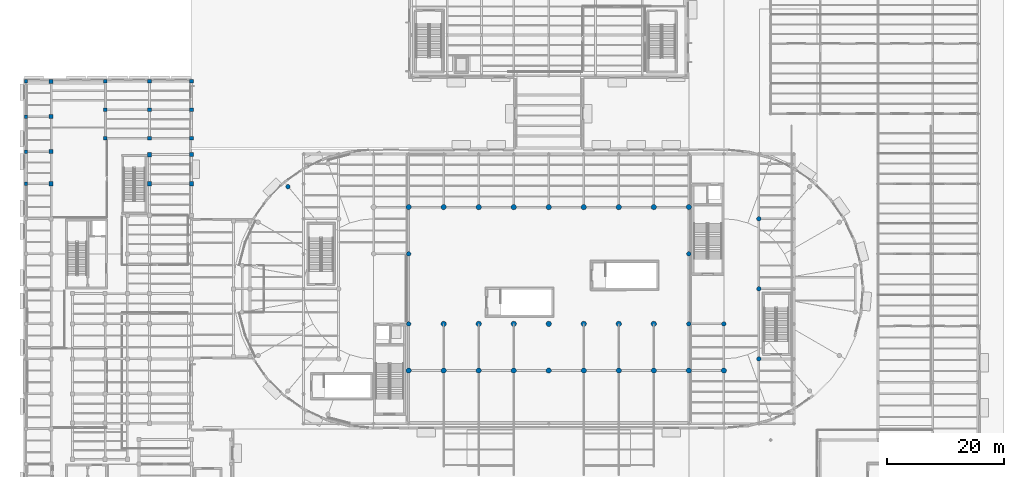
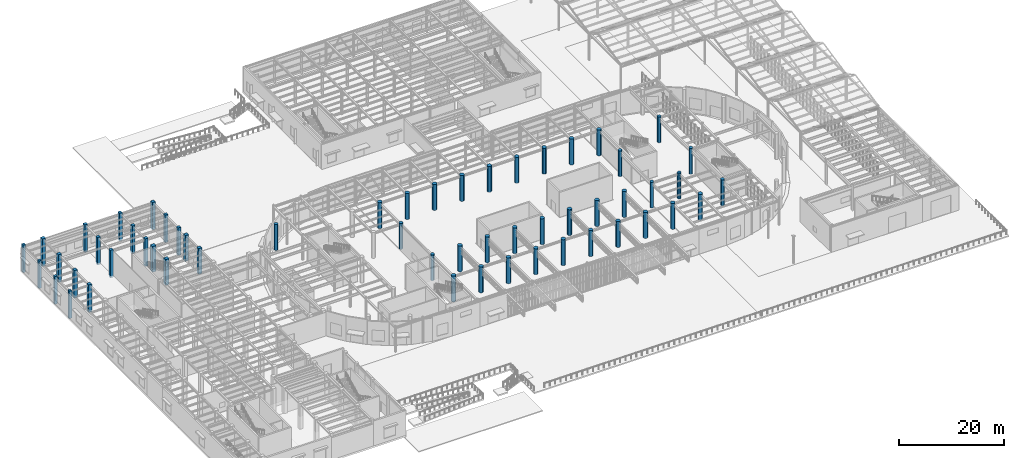
# One storey, part 7 of 118: 56 columns.
"""IFC4 building model written with IfcOpenShell, lengths in metres."""

from ifc_helpers import new_model, si_unit, direction, frame, origin, origin_2d, place, context, subcontext, project, spatial, rectangle, circle, extrude, material, material_profile, profile_set, type_object, element, save


model = new_model("IFC4")

# Units and contexts
model_context = context("Model", 3, precision=1e-05, world=origin(), true_north=direction((0.0, 1.0)))
body_context = subcontext(model_context, "Body", "Model", "MODEL_VIEW")
ifc_project = project(units=[si_unit("LENGTHUNIT", "METRE"), si_unit("AREAUNIT", "SQUARE_METRE"), si_unit("VOLUMEUNIT", "CUBIC_METRE"), si_unit("PLANEANGLEUNIT", "RADIAN"), si_unit("MASSUNIT", "GRAM", prefix="KILO")], contexts=[model_context])

# Site, building, storey
site_placement = place(None, origin())
site = spatial("IfcSite", under=ifc_project, at=site_placement, CompositionType="ELEMENT")
building_placement = place(site_placement, origin())
building = spatial("IfcBuilding", under=site, at=building_placement, Name="Kolvaren Corner Interchange", CompositionType="ELEMENT")
storey_placement = place(building_placement, origin())
storey = spatial("IfcBuildingStorey", under=building, at=storey_placement, Name="L01", CompositionType="ELEMENT", Elevation=0.0)

# Columns
ifc_material_1 = material(Name="Concrete C35/45", Category="concrete")
ifc_material_profile_1 = material_profile(ifc_material_1, rectangle(XDim=0.64990234375, YDim=0.64990234375, at=origin_2d()), Name="RC 650x650")
ifc_profile_set_1 = profile_set([ifc_material_profile_1], Name="Concrete C35/45")
column_type_1 = type_object("IfcColumnType", Name="COL-RC650", PredefinedType="COLUMN", material=ifc_profile_set_1)
for number, where, z_axis, x_axis, name in (
    (1, (14.0, 73.800048828125, -0.39990234375), (0.0, 0.0, 1.0), (1.0, 0.0, 0.0), "Storey L01 Structural Column 0418"),
    (2, (14.0, 78.699951171875, -0.39990234375), (0.0, 0.0, 1.0), (1.0, 0.0, 0.0), "Storey L01 Structural Column 0421"),
    (3, (14.0, 83.550048828125, -0.39990234375), (0.0, 0.0, 1.0), (1.0, 0.0, 0.0), "Storey L01 Structural Column 0424"),
    (4, (21.60009765625, 73.800048828125, -0.39990234375), (0.0, 0.0, 1.0), (1.0, 0.0, 0.0), "Storey L01 Structural Column 0427"),
    (5, (21.60009765625, 78.699951171875, -0.39990234375), (0.0, 0.0, 1.0), (1.0, 0.0, 0.0), "Storey L01 Structural Column 0430"),
    (6, (21.60009765625, 83.550048828125, -0.39990234375), (0.0, 0.0, 1.0), (1.0, 0.0, 0.0), "Storey L01 Structural Column 0433"),
    (7, (28.800048828125, 73.800048828125, -0.39990234375), (0.0, 0.0, 1.0), (1.0, 0.0, 0.0), "Storey L01 Structural Column 0436"),
    (8, (28.800048828125, 78.699951171875, -0.39990234375), (0.0, 0.0, 1.0), (1.0, 0.0, 0.0), "Storey L01 Structural Column 0439"),
    (9, (28.800048828125, 83.550048828125, -0.39990234375), (0.0, 0.0, 1.0), (1.0, 0.0, 0.0), "Storey L01 Structural Column 0442"),
):
    element("IfcColumn", number, at=place(storey_placement, frame(where, z_axis=z_axis, x_axis=x_axis)), inside=storey, type_object=column_type_1, Name=name, PredefinedType="COLUMN", context=body_context, shape_type="SweptSolid", body=[
        extrude(rectangle(XDim=0.64990234375, YDim=0.64990234375, at=origin_2d()), origin(), (0.0, 0.0, 1.0), 6.39990234375),
    ])
ifc_material_2 = material(Name="Concrete C35/45", Category="concrete")
ifc_material_profile_2 = material_profile(ifc_material_2, rectangle(XDim=0.699951171875, YDim=0.699951171875, at=origin_2d()), Name="RC 700x700")
ifc_profile_set_2 = profile_set([ifc_material_profile_2], Name="Concrete C35/45")
column_type_2 = type_object("IfcColumnType", Name="COL-RC700", PredefinedType="COLUMN", material=ifc_profile_set_2)
for number, where, z_axis, x_axis, name in (
    (10, (4.75, 66.0, -0.39990234375), (0.0, 0.0, 1.0), (1.0, 0.0, 0.0), "Storey L01 Structural Column 0123"),
    (11, (4.75, 71.5, -0.39990234375), (0.0, 0.0, 1.0), (1.0, 0.0, 0.0), "Storey L01 Structural Column 0127"),
    (12, (4.75, 77.5, -0.39990234375), (0.0, 0.0, 1.0), (1.0, 0.0, 0.0), "Storey L01 Structural Column 0131"),
    (13, (4.75, 83.550048828125, -0.39990234375), (0.0, 0.0, 1.0), (1.0, 0.0, 0.0), "Storey L01 Structural Column 0134"),
):
    element("IfcColumn", number, at=place(storey_placement, frame(where, z_axis=z_axis, x_axis=x_axis)), inside=storey, type_object=column_type_2, Name=name, PredefinedType="COLUMN", context=body_context, shape_type="SweptSolid", body=[
        extrude(rectangle(XDim=0.699951171875, YDim=0.699951171875, at=origin_2d()), origin(), (0.0, 0.0, 1.0), 6.39990234375),
    ])
for number, where, z_axis, x_axis, name in (
    (14, (28.800048828125, 66.0, 0.0), (0.0, 0.0, 1.0), (1.0, 0.0, 0.0), "Storey L01 Structural Column 0411"),
    (15, (28.800048828125, 71.0, 0.0), (0.0, 0.0, 1.0), (1.0, 0.0, 0.0), "Storey L01 Structural Column 0415"),
):
    element("IfcColumn", number, at=place(storey_placement, frame(where, z_axis=z_axis, x_axis=x_axis)), inside=storey, type_object=column_type_2, Name=name, PredefinedType="COLUMN", context=body_context, shape_type="SweptSolid", body=[
        extrude(rectangle(XDim=0.699951171875, YDim=0.699951171875, at=origin_2d()), origin(), (0.0, 0.0, 1.0), 6.0),
    ])
ifc_material_3 = material(Name="Concrete C40/50", Category="concrete")
ifc_material_profile_3 = material_profile(ifc_material_3, rectangle(XDim=0.75, YDim=0.75, at=origin_2d()), Name="RC 750x750")
ifc_profile_set_3 = profile_set([ifc_material_profile_3], Name="Concrete C40/50")
column_type_3 = type_object("IfcColumnType", Name="COL-RC750", PredefinedType="COLUMN", material=ifc_profile_set_3)
for number, where, z_axis, x_axis, name in (
    (16, (21.60009765625, 66.0, 0.0), (0.0, 0.0, 1.0), (1.0, 0.0, 0.0), "Storey L01 Structural Column 0373"),
    (17, (21.60009765625, 71.0, 0.0), (0.0, 0.0, 1.0), (1.0, 0.0, 0.0), "Storey L01 Structural Column 0378"),
):
    element("IfcColumn", number, at=place(storey_placement, frame(where, z_axis=z_axis, x_axis=x_axis)), inside=storey, type_object=column_type_3, Name=name, PredefinedType="COLUMN", context=body_context, shape_type="SweptSolid", body=[
        extrude(rectangle(XDim=0.75, YDim=0.75, at=origin_2d()), origin(), (0.0, 0.0, 1.0), 6.0),
    ])
ifc_material_4 = material(Name="Concrete C35/45", Category="concrete")
ifc_material_profile_4 = material_profile(ifc_material_4, circle(Radius=0.375, at=origin_2d()), Name="RC COL D750")
ifc_profile_set_4 = profile_set([ifc_material_profile_4], Name="Concrete C35/45")
column_type_4 = type_object("IfcColumnType", Name="COL-RCD750", PredefinedType="COLUMN", material=ifc_profile_set_4)
for number, where, z_axis, x_axis, name in (
    (18, (66.0, 42.0, 0.0), (0.0, 0.0, 1.0), (1.0, 0.0, 0.0), "Storey L01 Structural Column 0491"),
    (19, (66.0, 54.0, 0.0), (0.0, 0.0, 1.0), (1.0, 0.0, 0.0), "Storey L01 Structural Column 0494"),
    (20, (114.0, 42.0, 0.0), (0.0, 0.0, 1.0), (1.0, 0.0, 0.0), "Storey L01 Structural Column 0651"),
    (21, (114.0, 54.0, 0.0), (0.0, 0.0, 1.0), (1.0, 0.0, 0.0), "Storey L01 Structural Column 0654"),
    (22, (120.0, 42.0, 0.0), (0.0, 0.0, 1.0), (1.0, 0.0, 0.0), "Storey L01 Structural Column 0671"),
    (23, (126.0, 36.0, 0.0), (0.0, 0.0, 1.0), (1.0, 0.0, 0.0), "Storey L01 Structural Column 0735"),
    (24, (126.0, 48.0, 0.0), (0.0, 0.0, 1.0), (1.0, 0.0, 0.0), "Storey L01 Structural Column 0738"),
    (25, (126.0, 60.0, 0.0), (0.0, 0.0, 1.0), (1.0, 0.0, 0.0), "Storey L01 Structural Column 0741"),
    (26, (45.31201171875, 65.50390625, 0.0), (0.0, 0.0, 1.0), (1.0, 0.0, 0.0), "Storey L01 Structural Column 0788"),
):
    element("IfcColumn", number, at=place(storey_placement, frame(where, z_axis=z_axis, x_axis=x_axis)), inside=storey, type_object=column_type_4, Name=name, PredefinedType="COLUMN", context=body_context, shape_type="SweptSolid", body=[
        extrude(circle(Radius=0.375, at=origin_2d()), origin(), (0.0, 0.0, 1.0), 6.0),
    ])
ifc_material_5 = material(Name="Concrete C40/50", Category="concrete")
ifc_material_profile_5 = material_profile(ifc_material_5, circle(Radius=0.449951171875, at=origin_2d()), Name="RC COL D900")
ifc_profile_set_5 = profile_set([ifc_material_profile_5], Name="Concrete C40/50")
column_type_5 = type_object("IfcColumnType", Name="COL-RCD900", PredefinedType="COLUMN", material=ifc_profile_set_5)
for number, where, z_axis, x_axis, name in (
    (27, (66.0, 34.0, 0.0), (0.0, 0.0, 1.0), (1.0, 0.0, 0.0), "Storey L01 Structural Column 0488"),
    (28, (66.0, 62.0, 0.0), (0.0, 0.0, 1.0), (1.0, 0.0, 0.0), "Storey L01 Structural Column 0497"),
    (29, (72.0, 34.0, 0.0), (0.0, 0.0, 1.0), (1.0, 0.0, 0.0), "Storey L01 Structural Column 0508"),
    (30, (72.0, 42.0, 0.0), (0.0, 0.0, 1.0), (1.0, 0.0, 0.0), "Storey L01 Structural Column 0512"),
    (31, (72.0, 62.0, 0.0), (0.0, 0.0, 1.0), (1.0, 0.0, 0.0), "Storey L01 Structural Column 0517"),
    (32, (78.0, 34.0, 0.0), (0.0, 0.0, 1.0), (1.0, 0.0, 0.0), "Storey L01 Structural Column 0528"),
    (33, (78.0, 42.0, 0.0), (0.0, 0.0, 1.0), (1.0, 0.0, 0.0), "Storey L01 Structural Column 0532"),
    (34, (78.0, 62.0, 0.0), (0.0, 0.0, 1.0), (1.0, 0.0, 0.0), "Storey L01 Structural Column 0537"),
    (35, (84.0, 34.0, 0.0), (0.0, 0.0, 1.0), (1.0, 0.0, 0.0), "Storey L01 Structural Column 0548"),
    (36, (84.0, 42.0, 0.0), (0.0, 0.0, 1.0), (1.0, 0.0, 0.0), "Storey L01 Structural Column 0552"),
    (37, (84.0, 62.0, 0.0), (0.0, 0.0, 1.0), (1.0, 0.0, 0.0), "Storey L01 Structural Column 0557"),
    (38, (90.0, 34.0, 0.0), (0.0, 0.0, 1.0), (1.0, 0.0, 0.0), "Storey L01 Structural Column 0568"),
    (39, (90.0, 42.0, 0.0), (0.0, 0.0, 1.0), (1.0, 0.0, 0.0), "Storey L01 Structural Column 0572"),
    (40, (90.0, 62.0, 0.0), (0.0, 0.0, 1.0), (1.0, 0.0, 0.0), "Storey L01 Structural Column 0577"),
    (41, (96.0, 34.0, 0.0), (0.0, 0.0, 1.0), (1.0, 0.0, 0.0), "Storey L01 Structural Column 0588"),
    (42, (96.0, 42.0, 0.0), (0.0, 0.0, 1.0), (1.0, 0.0, 0.0), "Storey L01 Structural Column 0592"),
    (43, (96.0, 62.0, 0.0), (0.0, 0.0, 1.0), (1.0, 0.0, 0.0), "Storey L01 Structural Column 0597"),
    (44, (102.0, 34.0, 0.0), (0.0, 0.0, 1.0), (1.0, 0.0, 0.0), "Storey L01 Structural Column 0608"),
    (45, (102.0, 42.0, 0.0), (0.0, 0.0, 1.0), (1.0, 0.0, 0.0), "Storey L01 Structural Column 0612"),
    (46, (102.0, 62.0, 0.0), (0.0, 0.0, 1.0), (1.0, 0.0, 0.0), "Storey L01 Structural Column 0617"),
    (47, (108.0, 34.0, 0.0), (0.0, 0.0, 1.0), (1.0, 0.0, 0.0), "Storey L01 Structural Column 0628"),
    (48, (108.0, 42.0, 0.0), (0.0, 0.0, 1.0), (1.0, 0.0, 0.0), "Storey L01 Structural Column 0632"),
    (49, (108.0, 62.0, 0.0), (0.0, 0.0, 1.0), (1.0, 0.0, 0.0), "Storey L01 Structural Column 0637"),
    (50, (114.0, 34.0, 0.0), (0.0, 0.0, 1.0), (1.0, 0.0, 0.0), "Storey L01 Structural Column 0648"),
    (51, (114.0, 62.0, 0.0), (0.0, 0.0, 1.0), (1.0, 0.0, 0.0), "Storey L01 Structural Column 0657"),
    (52, (120.0, 34.0, 0.0), (0.0, 0.0, 1.0), (1.0, 0.0, 0.0), "Storey L01 Structural Column 0668"),
):
    element("IfcColumn", number, at=place(storey_placement, frame(where, z_axis=z_axis, x_axis=x_axis)), inside=storey, type_object=column_type_5, Name=name, PredefinedType="COLUMN", context=body_context, shape_type="SweptSolid", body=[
        extrude(circle(Radius=0.449951171875, at=origin_2d()), origin(), (0.0, 0.0, 1.0), 6.0),
    ])
ifc_material_6 = material(Name="Concrete C35/45", Category="concrete")
ifc_material_profile_6 = material_profile(ifc_material_6, rectangle(XDim=0.550048828125, YDim=0.550048828125, at=origin_2d()), Name="RC 550x550")
ifc_profile_set_6 = profile_set([ifc_material_profile_6], Name="Concrete C35/45")
column_type_6 = type_object("IfcColumnType", Name="PIL-RC550", PredefinedType="PILASTER", material=ifc_profile_set_6)
for number, where, z_axis, x_axis, name in (
    (53, (0.449951171875, 66.0, -0.39990234375), (0.0, 0.0, 1.0), (1.0, 0.0, 0.0), "Storey L01 Structural Column 0055"),
    (54, (0.449951171875, 71.5, -0.39990234375), (0.0, 0.0, 1.0), (1.0, 0.0, 0.0), "Storey L01 Structural Column 0059"),
    (55, (0.449951171875, 77.5, -0.39990234375), (0.0, 0.0, 1.0), (1.0, 0.0, 0.0), "Storey L01 Structural Column 0063"),
    (56, (0.449951171875, 83.550048828125, -0.39990234375), (0.0, 0.0, 1.0), (1.0, 0.0, 0.0), "Storey L01 Structural Column 0066"),
):
    element("IfcColumn", number, at=place(storey_placement, frame(where, z_axis=z_axis, x_axis=x_axis)), inside=storey, type_object=column_type_6, Name=name, PredefinedType="PILASTER", context=body_context, shape_type="SweptSolid", body=[
        extrude(rectangle(XDim=0.550048828125, YDim=0.550048828125, at=origin_2d()), origin(), (0.0, 0.0, 1.0), 6.39990234375),
    ])

save(model, "model.ifc")
